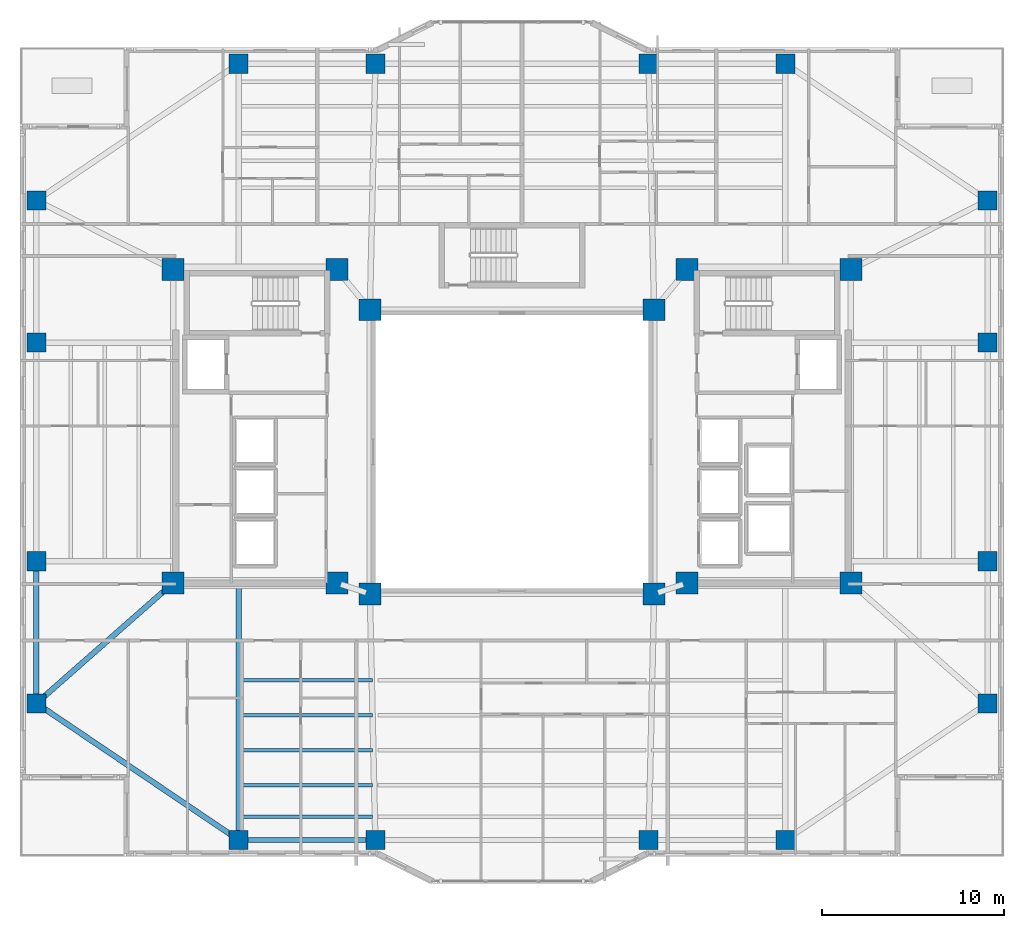
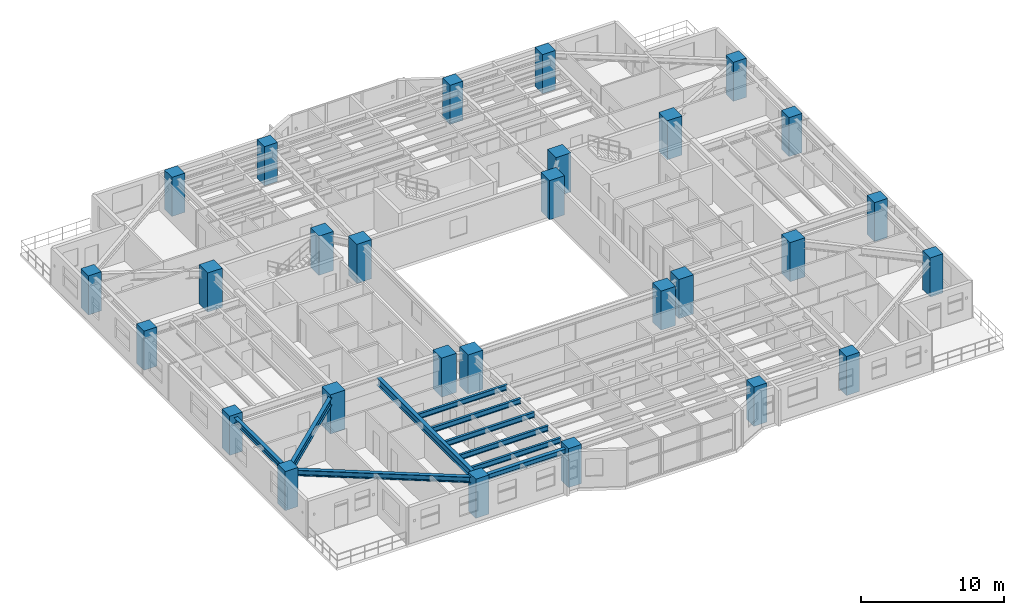
# One storey, part 1 of 19: 28 columns, 10 beams.
"""IFC4 building model written with IfcOpenShell, lengths in metres."""

from ifc_helpers import new_model, si_unit, direction, frame, origin, origin_2d, place, context, subcontext, project, spatial, rectangle, i_section, extrude, material, material_profile, profile_set, type_object, element, save


model = new_model("IFC4")

# Units and contexts
model_context = context("Model", 3, precision=1e-05, world=origin(), true_north=direction((0.0, 1.0)))
body_context = subcontext(model_context, "Body", "Model", "MODEL_VIEW")
ifc_project = project(units=[si_unit("LENGTHUNIT", "METRE"), si_unit("AREAUNIT", "SQUARE_METRE"), si_unit("VOLUMEUNIT", "CUBIC_METRE"), si_unit("PLANEANGLEUNIT", "RADIAN"), si_unit("MASSUNIT", "GRAM", prefix="KILO")], contexts=[model_context])

# Site, building, storey
site_placement = place(None, origin())
site = spatial("IfcSite", under=ifc_project, at=site_placement, CompositionType="ELEMENT")
building_placement = place(site_placement, origin())
building = spatial("IfcBuilding", under=site, at=building_placement, Name="Tarnavaz Court Tower", CompositionType="ELEMENT")
storey_placement = place(building_placement, frame((0.0, 0.0, 78.300048828125)))
storey = spatial("IfcBuildingStorey", under=building, at=storey_placement, Name="L20", CompositionType="ELEMENT", Elevation=78.300048828125)

# Columns
ifc_material_1 = material(Name="Concrete C60/75", Category="concrete")
ifc_material_profile_1 = material_profile(ifc_material_1, rectangle(XDim=1.050048828125, YDim=1.050048828125, at=origin_2d()), Name="RC 1050X1050")
ifc_profile_set_1 = profile_set([ifc_material_profile_1], Name="Concrete C60/75")
column_type_1 = type_object("IfcColumnType", Name="CL-RC1050", PredefinedType="COLUMN", material=ifc_profile_set_1)
for number, where, z_axis, x_axis, name in (
    (1, (-15.0, 21.300048828125, 0.0), (0.0, 0.0, 1.0), (1.0, 0.0, 0.0), "L20 Column PN-1"),
    (2, (-7.5, 21.300048828125, 0.0), (0.0, 0.0, 1.0), (1.0, 0.0, 0.0), "L20 Column PN-2"),
    (3, (7.5, 21.300048828125, 0.0), (0.0, 0.0, 1.0), (1.0, 0.0, 0.0), "L20 Column PN-3"),
    (4, (15.0, 21.300048828125, 0.0), (0.0, 0.0, 1.0), (1.0, 0.0, 0.0), "L20 Column PN-4"),
    (5, (-15.0, -21.300048828125, 0.0), (0.0, 0.0, 1.0), (1.0, 0.0, 0.0), "L20 Column PS-1"),
    (6, (-7.5, -21.300048828125, 0.0), (0.0, 0.0, 1.0), (1.0, 0.0, 0.0), "L20 Column PS-2"),
    (7, (7.5, -21.300048828125, 0.0), (0.0, 0.0, 1.0), (1.0, 0.0, 0.0), "L20 Column PS-3"),
    (8, (15.0, -21.300048828125, 0.0), (0.0, 0.0, 1.0), (1.0, 0.0, 0.0), "L20 Column PS-4"),
    (9, (26.10009765625, -13.800048828125, 0.0), (0.0, 0.0, 1.0), (1.0, 0.0, 0.0), "L20 Column PE-1"),
    (10, (26.10009765625, -6.0, 0.0), (0.0, 0.0, 1.0), (1.0, 0.0, 0.0), "L20 Column PE-2"),
    (11, (26.10009765625, 6.0, 0.0), (0.0, 0.0, 1.0), (1.0, 0.0, 0.0), "L20 Column PE-3"),
    (12, (26.10009765625, 13.800048828125, 0.0), (0.0, 0.0, 1.0), (1.0, 0.0, 0.0), "L20 Column PE-4"),
    (13, (-26.10009765625, -13.800048828125, 0.0), (0.0, 0.0, 1.0), (1.0, 0.0, 0.0), "L20 Column PW-1"),
    (14, (-26.10009765625, -6.0, 0.0), (0.0, 0.0, 1.0), (1.0, 0.0, 0.0), "L20 Column PW-2"),
    (15, (-26.10009765625, 6.0, 0.0), (0.0, 0.0, 1.0), (1.0, 0.0, 0.0), "L20 Column PW-3"),
    (16, (-26.10009765625, 13.800048828125, 0.0), (0.0, 0.0, 1.0), (1.0, 0.0, 0.0), "L20 Column PW-4"),
):
    element("IfcColumn", number, at=place(storey_placement, frame(where, z_axis=z_axis, x_axis=x_axis)), inside=storey, type_object=column_type_1, Name=name, PredefinedType="COLUMN", context=body_context, shape_type="SweptSolid", body=[
        extrude(rectangle(XDim=1.050048828125, YDim=1.050048828125, at=origin_2d()), origin(), (0.0, 0.0, 1.0), 3.349853515625),
    ])
ifc_material_profile_2 = material_profile(ifc_material_1, rectangle(XDim=1.199951171875, YDim=1.199951171875, at=origin_2d()), Name="RC 1200X1200")
ifc_profile_set_2 = profile_set([ifc_material_profile_2], Name="Concrete C60/75")
column_type_2 = type_object("IfcColumnType", Name="CL-RC1200", PredefinedType="COLUMN", material=ifc_profile_set_2)
for number, where, z_axis, x_axis, name in (
    (17, (-7.800048828125, -7.800048828125, 0.0), (0.0, 0.0, 1.0), (1.0, 0.0, 0.0), "L20 Column IW-SW"),
    (18, (7.800048828125, -7.800048828125, 0.0), (0.0, 0.0, 1.0), (1.0, 0.0, 0.0), "L20 Column IW-SE"),
    (19, (-7.800048828125, 7.800048828125, 0.0), (0.0, 0.0, 1.0), (1.0, 0.0, 0.0), "L20 Column IW-NW"),
    (20, (7.800048828125, 7.800048828125, 0.0), (0.0, 0.0, 1.0), (1.0, 0.0, 0.0), "L20 Column IW-NE"),
    (21, (-9.60009765625, -7.199951171875, 0.0), (0.0, 0.0, 1.0), (1.0, 0.0, 0.0), "L20 Column CW-SI"),
    (22, (-9.60009765625, 10.0, 0.0), (0.0, 0.0, 1.0), (1.0, 0.0, 0.0), "L20 Column CW-NI"),
    (23, (9.60009765625, -7.199951171875, 0.0), (0.0, 0.0, 1.0), (1.0, 0.0, 0.0), "L20 Column CE-SI"),
    (24, (9.60009765625, 10.0, 0.0), (0.0, 0.0, 1.0), (1.0, 0.0, 0.0), "L20 Column CE-NI"),
    (25, (-18.60009765625, -7.199951171875, 0.0), (0.0, 0.0, 1.0), (1.0, 0.0, 0.0), "L20 Column CW-SO"),
    (26, (-18.60009765625, 10.0, 0.0), (0.0, 0.0, 1.0), (1.0, 0.0, 0.0), "L20 Column CW-NO"),
    (27, (18.60009765625, -7.199951171875, 0.0), (0.0, 0.0, 1.0), (1.0, 0.0, 0.0), "L20 Column CE-SO"),
    (28, (18.60009765625, 10.0, 0.0), (0.0, 0.0, 1.0), (1.0, 0.0, 0.0), "L20 Column CE-NO"),
):
    element("IfcColumn", number, at=place(storey_placement, frame(where, z_axis=z_axis, x_axis=x_axis)), inside=storey, type_object=column_type_2, Name=name, PredefinedType="COLUMN", context=body_context, shape_type="SweptSolid", body=[
        extrude(rectangle(XDim=1.199951171875, YDim=1.199951171875, at=origin_2d()), origin(), (0.0, 0.0, 1.0), 3.349853515625),
    ])

# Beams
ifc_material_2 = material(Name="Steel S355", Category="steel")
ifc_material_profile_3 = material_profile(ifc_material_2, i_section(OverallWidth=0.300048828125, OverallDepth=0.64990234375, WebThickness=0.01611328125, FlangeThickness=0.031005859375, FilletRadius=0.027099609375, at=origin_2d()), Name="HEB 650")
ifc_profile_set_3 = profile_set([ifc_material_profile_3], Name="Steel S355")
beam_type_1 = type_object("IfcBeamType", Name="BM-G-HEB650", PredefinedType="USERDEFINED", material=ifc_profile_set_3)
beam_1_placement = place(storey_placement, frame((-15.0, -7.239990234375, 2.77490234375), z_axis=(0.0, -1.0, 0.0), x_axis=(1.0, 0.0, 0.0)))
element("IfcBeam", 29, at=beam_1_placement, inside=storey, type_object=beam_type_1, Name="L20 Beam RG-05", ObjectType="GIRDER", PredefinedType="USERDEFINED", context=body_context, shape_type="SweptSolid", body=[
    extrude(i_section(OverallWidth=0.300048828125, OverallDepth=0.64990234375, WebThickness=0.01611328125, FlangeThickness=0.031005859375, FilletRadius=0.027099609375, at=origin_2d()), origin(), (0.0, 0.0, 1.0), 13.840087890625),
])
beam_2_placement = place(storey_placement, frame((-18.76513671875, -7.34521484375, 2.77490234375), z_axis=(-0.750700332035, -0.660642877417, 0.0), x_axis=(0.660642877417, -0.750700332035, 0.0)))
element("IfcBeam", 30, at=beam_2_placement, inside=storey, type_object=beam_type_1, Name="L20 Beam RG-15", ObjectType="GIRDER", PredefinedType="USERDEFINED", context=body_context, shape_type="SweptSolid", body=[
    extrude(i_section(OverallWidth=0.300048828125, OverallDepth=0.64990234375, WebThickness=0.01611328125, FlangeThickness=0.031005859375, FilletRadius=0.027099609375, at=origin_2d()), origin(), (0.0, 0.0, 1.0), 9.550537109375),
])
ifc_material_profile_4 = material_profile(ifc_material_2, i_section(OverallWidth=0.18994140625, OverallDepth=0.449951171875, WebThickness=0.009521484375, FlangeThickness=0.0146484375, FilletRadius=0.02099609375, at=origin_2d()), Name="IPE 450")
ifc_profile_set_4 = profile_set([ifc_material_profile_4], Name="Steel S355")
beam_type_2 = type_object("IfcBeamType", Name="BM-J-IPE450", PredefinedType="JOIST", material=ifc_profile_set_4)
for number, where, z_axis, x_axis, name in (
    (31, (-14.85009765625, -12.52587890625, 2.875), (1.0, 0.0, 0.0), (0.0, 1.0, 0.0), "L20 Beam JS1-1"),
    (32, (-14.85009765625, -14.451904296875, 2.875), (1.0, 0.0, 0.0), (0.0, 1.0, 0.0), "L20 Beam JS2-1"),
    (33, (-14.85009765625, -16.3779296875, 2.875), (1.0, 0.0, 0.0), (0.0, 1.0, 0.0), "L20 Beam JS3-1"),
    (34, (-14.85009765625, -18.303955078125, 2.875), (1.0, 0.0, 0.0), (0.0, 1.0, 0.0), "L20 Beam JS4-1"),
    (35, (-14.85009765625, -20.01611328125, 2.875), (1.0, 0.0, 0.0), (0.0, 1.0, 0.0), "L20 Beam JS5-1"),
):
    element("IfcBeam", number, at=place(storey_placement, frame(where, z_axis=z_axis, x_axis=x_axis)), inside=storey, type_object=beam_type_2, Name=name, PredefinedType="JOIST", context=body_context, shape_type="SweptSolid", body=[
        extrude(i_section(OverallWidth=0.18994140625, OverallDepth=0.449951171875, WebThickness=0.009521484375, FlangeThickness=0.0146484375, FilletRadius=0.02099609375, at=origin_2d()), origin(), (0.0, 0.0, 1.0), 7.2001953125),
    ])
ifc_material_profile_5 = material_profile(ifc_material_2, i_section(OverallWidth=0.300048828125, OverallDepth=0.489990234375, WebThickness=0.011962890625, FlangeThickness=0.02294921875, FilletRadius=0.027099609375, at=origin_2d()), Name="HEA 500")
ifc_profile_set_5 = profile_set([ifc_material_profile_5], Name="Steel S355")
beam_type_3 = type_object("IfcBeamType", Name="BM-SP-HEA500", PredefinedType="SPANDREL", material=ifc_profile_set_5)
beam_3_placement = place(storey_placement, frame((-14.780029296875, -21.300048828125, 2.85498046875), z_axis=(1.0, 0.0, 0.0), x_axis=(0.0, 1.0, 0.0)))
element("IfcBeam", 36, at=beam_3_placement, inside=storey, type_object=beam_type_3, Name="L20 Beam PR-PS-1-PS-2", PredefinedType="SPANDREL", context=body_context, shape_type="SweptSolid", body=[
    extrude(i_section(OverallWidth=0.300048828125, OverallDepth=0.489990234375, WebThickness=0.011962890625, FlangeThickness=0.02294921875, FilletRadius=0.027099609375, at=origin_2d()), origin(), (0.0, 0.0, 1.0), 7.06005859375),
])
beam_4_placement = place(storey_placement, frame((-26.10009765625, -13.580078125, 2.85498046875), z_axis=(0.0, 1.0, 0.0), x_axis=(-1.0, 0.0, 0.0)))
element("IfcBeam", 37, at=beam_4_placement, inside=storey, type_object=beam_type_3, Name="L20 Beam PR-PW-1-PW-2", PredefinedType="SPANDREL", context=body_context, shape_type="SweptSolid", body=[
    extrude(i_section(OverallWidth=0.300048828125, OverallDepth=0.489990234375, WebThickness=0.011962890625, FlangeThickness=0.02294921875, FilletRadius=0.027099609375, at=origin_2d()), origin(), (0.0, 0.0, 1.0), 7.360107421875),
])
beam_5_placement = place(storey_placement, frame((-15.182373046875, -21.1767578125, 2.85498046875), z_axis=(-0.828587314918, 0.559859858854, 0.0), x_axis=(-0.559859858854, -0.828587314918, 0.0)))
element("IfcBeam", 38, at=beam_5_placement, inside=storey, type_object=beam_type_3, Name="L20 Beam PR-PS-1-PW-1", PredefinedType="SPANDREL", context=body_context, shape_type="SweptSolid", body=[
    extrude(i_section(OverallWidth=0.300048828125, OverallDepth=0.489990234375, WebThickness=0.011962890625, FlangeThickness=0.02294921875, FilletRadius=0.027099609375, at=origin_2d()), origin(), (0.0, 0.0, 1.0), 12.956298828125),
])

save(model, "model.ifc")
